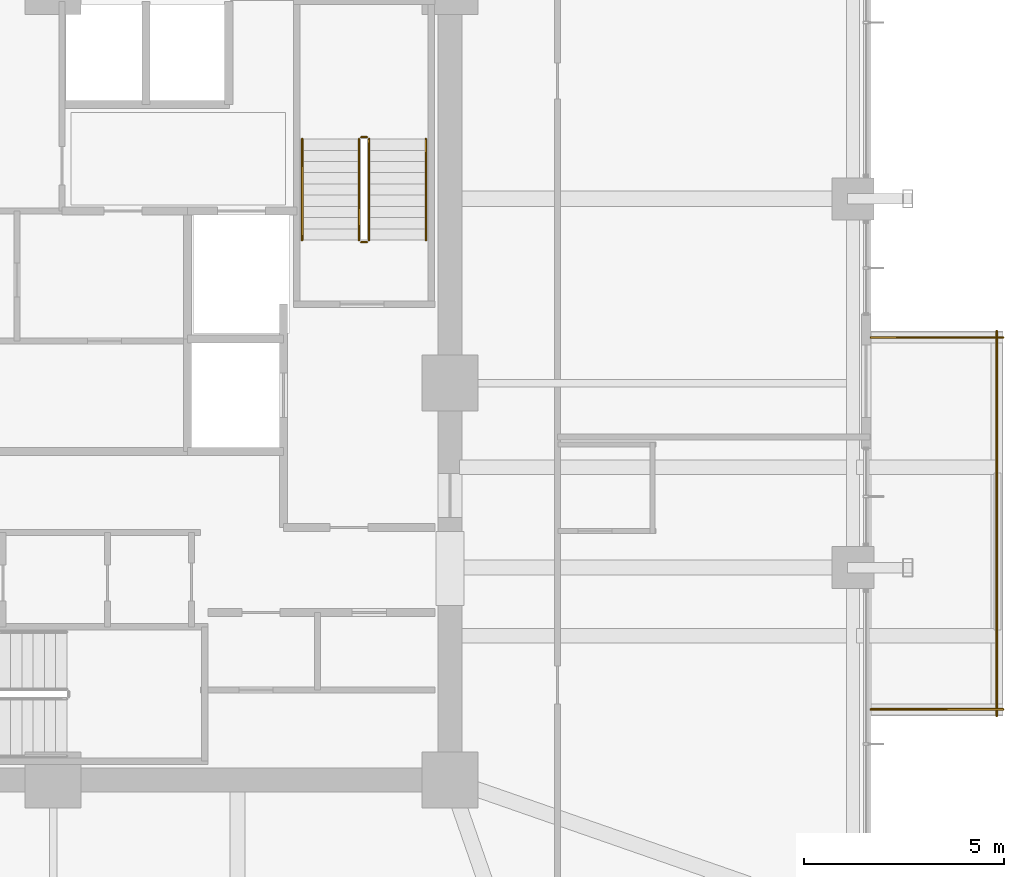
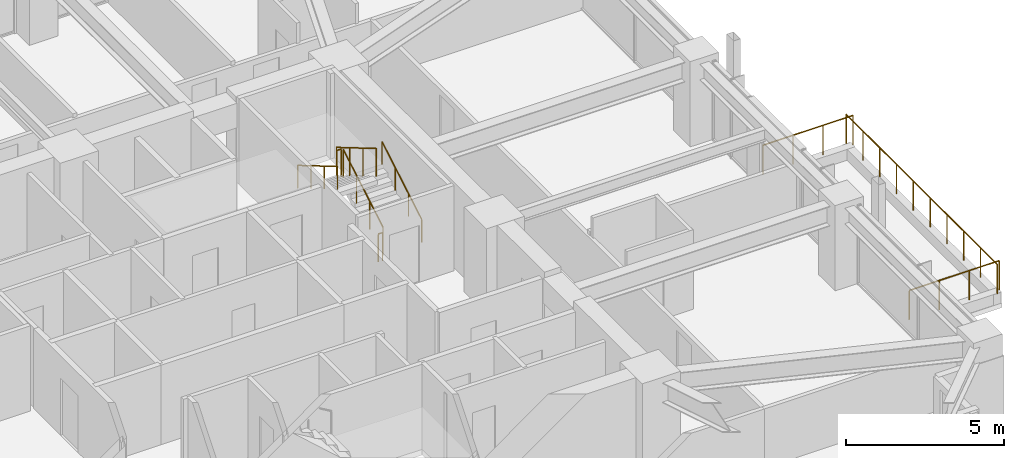
# One storey, part 37 of 37: 9 railings.
"""IFC4 building model written with IfcOpenShell, lengths in metres."""

from ifc_helpers import new_model, si_unit, direction, frame, origin, origin_2d, place, context, subcontext, project, spatial, circle, extrude, material, type_object, element, save


model = new_model("IFC4")

# Units and contexts
model_context = context("Model", 3, precision=1e-05, world=origin(), true_north=direction((0.0, 1.0)))
body_context = subcontext(model_context, "Body", "Model", "MODEL_VIEW")
ifc_project = project(units=[si_unit("LENGTHUNIT", "METRE"), si_unit("AREAUNIT", "SQUARE_METRE"), si_unit("VOLUMEUNIT", "CUBIC_METRE"), si_unit("PLANEANGLEUNIT", "RADIAN"), si_unit("MASSUNIT", "GRAM", prefix="KILO")], contexts=[model_context])

# Site, building, storey
site_placement = place(None, origin())
site = spatial("IfcSite", under=ifc_project, at=site_placement, CompositionType="ELEMENT")
building_placement = place(site_placement, origin())
building = spatial("IfcBuilding", under=site, at=building_placement, Name="Kolvaren Belvedere", CompositionType="ELEMENT")
storey_placement = place(building_placement, frame((0.0, 0.0, 82.10009765625)))
storey = spatial("IfcBuildingStorey", under=building, at=storey_placement, Name="L23", CompositionType="ELEMENT", Elevation=82.10009765625)

# Railings
ifc_material_1 = material(Name="Anodised pale-metal aluminium & laminated glass guard", Category="aluminium")
railing_type_1 = type_object("IfcRailingType", Name="RL-GUARD-1150", PredefinedType="GUARDRAIL", material=ifc_material_1)
railing_1_placement = place(storey_placement, frame((20.39990234375, -8.139892578125, 0.3798828125)))
element("IfcRailing", 1, at=railing_1_placement, inside=storey, type_object=railing_type_1, Name="L23 Exterior Deck Safety Guard SPIRAL-03-E-1", PredefinedType="GUARDRAIL", context=body_context, shape_type="SweptSolid", body=[
    extrude(circle(Radius=0.02392578125, at=origin_2d()), frame((0.0, 0.0, 1.1259765625), z_axis=(1.0, 0.0, 0.0), x_axis=(0.0, 1.0, 0.0)), (0.0, 0.0, 1.0), 3.300048828125),
    extrude(circle(Radius=0.02099609375, at=origin_2d()), origin(), (0.0, 0.0, 1.0), 1.101806640625),
    extrude(circle(Radius=0.02099609375, at=origin_2d()), frame((1.10009765625, 0.0, 0.0)), (0.0, 0.0, 1.0), 1.101806640625),
    extrude(circle(Radius=0.02099609375, at=origin_2d()), frame((2.199951171875, 0.0, 0.0)), (0.0, 0.0, 1.0), 1.101806640625),
    extrude(circle(Radius=0.02099609375, at=origin_2d()), frame((3.300048828125, 0.0, 0.0)), (0.0, 0.0, 1.0), 1.101806640625),
])
railing_2_placement = place(storey_placement, frame((23.5400390625, -8.300048828125, 0.3798828125)))
element("IfcRailing", 2, at=railing_2_placement, inside=storey, type_object=railing_type_1, Name="L23 Exterior Deck Safety Guard SPIRAL-03-E-2", PredefinedType="GUARDRAIL", context=body_context, shape_type="SweptSolid", body=[
    extrude(circle(Radius=0.02392578125, at=origin_2d()), frame((0.0, 0.0, 1.1259765625), z_axis=(0.0, 1.0, 0.0), x_axis=(-1.0, 0.0, 0.0)), (0.0, 0.0, 1.0), 9.60009765625),
    extrude(circle(Radius=0.02099609375, at=origin_2d()), origin(), (0.0, 0.0, 1.0), 1.101806640625),
    extrude(circle(Radius=0.02099609375, at=origin_2d()), frame((0.0, 1.066650390625, 0.0)), (0.0, 0.0, 1.0), 1.101806640625),
    extrude(circle(Radius=0.02099609375, at=origin_2d()), frame((0.0, 2.13330078125, 0.0)), (0.0, 0.0, 1.0), 1.101806640625),
    extrude(circle(Radius=0.02099609375, at=origin_2d()), frame((0.0, 3.199951171875, 0.0)), (0.0, 0.0, 1.0), 1.101806640625),
    extrude(circle(Radius=0.02099609375, at=origin_2d()), frame((0.0, 4.2666015625, 0.0)), (0.0, 0.0, 1.0), 1.101806640625),
    extrude(circle(Radius=0.02099609375, at=origin_2d()), frame((0.0, 5.33349609375, 0.0)), (0.0, 0.0, 1.0), 1.101806640625),
    extrude(circle(Radius=0.02099609375, at=origin_2d()), frame((0.0, 6.400146484375, 0.0)), (0.0, 0.0, 1.0), 1.101806640625),
    extrude(circle(Radius=0.02099609375, at=origin_2d()), frame((0.0, 7.466796875, 0.0)), (0.0, 0.0, 1.0), 1.101806640625),
    extrude(circle(Radius=0.02099609375, at=origin_2d()), frame((0.0, 8.533447265625, 0.0)), (0.0, 0.0, 1.0), 1.101806640625),
    extrude(circle(Radius=0.02099609375, at=origin_2d()), frame((0.0, 9.60009765625, 0.0)), (0.0, 0.0, 1.0), 1.101806640625),
])
railing_3_placement = place(storey_placement, frame((23.699951171875, 1.139892578125, 0.3798828125)))
element("IfcRailing", 3, at=railing_3_placement, inside=storey, type_object=railing_type_1, Name="L23 Exterior Deck Safety Guard SPIRAL-03-E-3", PredefinedType="GUARDRAIL", context=body_context, shape_type="SweptSolid", body=[
    extrude(circle(Radius=0.02392578125, at=origin_2d()), frame((0.0, 0.0, 1.1259765625), z_axis=(-1.0, 0.0, 0.0), x_axis=(0.0, -1.0, 0.0)), (0.0, 0.0, 1.0), 3.300048828125),
    extrude(circle(Radius=0.02099609375, at=origin_2d()), origin(), (0.0, 0.0, 1.0), 1.101806640625),
    extrude(circle(Radius=0.02099609375, at=origin_2d()), frame((-1.10009765625, 0.0, 0.0)), (0.0, 0.0, 1.0), 1.101806640625),
    extrude(circle(Radius=0.02099609375, at=origin_2d()), frame((-2.199951171875, 0.0, 0.0)), (0.0, 0.0, 1.0), 1.101806640625),
    extrude(circle(Radius=0.02099609375, at=origin_2d()), frame((-3.300048828125, 0.0, 0.0)), (0.0, 0.0, 1.0), 1.101806640625),
])
ifc_material_2 = material(Name="Brushed stainless-steel handrail", Category="steel")
railing_type_2 = type_object("IfcRailingType", Name="RL-HANDRAIL-920", PredefinedType="HANDRAIL", material=ifc_material_2)
railing_4_placement = place(storey_placement, frame((9.300048828125, 3.570068359375, 0.164794921875)))
element("IfcRailing", 4, at=railing_4_placement, inside=storey, type_object=railing_type_2, Name="L23 ST-2 stair handrail 1", PredefinedType="HANDRAIL", context=body_context, shape_type="SweptSolid", body=[
    extrude(circle(Radius=0.02392578125, at=origin_2d()), frame((0.0, 0.0, 0.8759765625), z_axis=(0.0, 0.86152411907, 0.507716645641), x_axis=(-1.0, 0.0, 0.0)), (0.0, 0.0, 1.0), 2.925048828125),
    extrude(circle(Radius=0.02099609375, at=origin_2d()), origin(), (0.0, 0.0, 1.0), 0.851806640625),
    extrude(circle(Radius=0.02099609375, at=origin_2d()), frame((0.0, 0.840087890625, 0.4951171875)), (0.0, 0.0, 1.0), 0.851806640625),
    extrude(circle(Radius=0.02099609375, at=origin_2d()), frame((0.0, 1.679931640625, 0.989990234375)), (0.0, 0.0, 1.0), 0.851806640625),
    extrude(circle(Radius=0.02099609375, at=origin_2d()), frame((0.0, 2.52001953125, 1.485107421875)), (0.0, 0.0, 1.0), 0.851806640625),
])
railing_5_placement = place(storey_placement, frame((6.2099609375, 6.090087890625, 1.81494140625)))
element("IfcRailing", 5, at=railing_5_placement, inside=storey, type_object=railing_type_2, Name="L23 ST-2 stair handrail 2", PredefinedType="HANDRAIL", context=body_context, shape_type="SweptSolid", body=[
    extrude(circle(Radius=0.02392578125, at=origin_2d()), frame((0.0, 0.0, 0.8759765625), z_axis=(0.0, -0.861560626758, 0.507654692109), x_axis=(1.0, 0.0, 0.0)), (0.0, 0.0, 1.0), 2.925048828125),
    extrude(circle(Radius=0.02099609375, at=origin_2d()), origin(), (0.0, 0.0, 1.0), 0.851806640625),
    extrude(circle(Radius=0.02099609375, at=origin_2d()), frame((0.0, -0.840087890625, 0.494873046875)), (0.0, 0.0, 1.0), 0.851806640625),
    extrude(circle(Radius=0.02099609375, at=origin_2d()), frame((0.0, -1.679931640625, 0.989990234375)), (0.0, 0.0, 1.0), 0.851806640625),
    extrude(circle(Radius=0.02099609375, at=origin_2d()), frame((0.0, -2.52001953125, 1.48486328125)), (0.0, 0.0, 1.0), 0.851806640625),
])
ifc_material_3 = material(Name="Painted tubular steel stair guard", Category="steel")
railing_type_3 = type_object("IfcRailingType", Name="RL-STGUARD-1100", PredefinedType="GUARDRAIL", material=ifc_material_3)
railing_6_placement = place(storey_placement, frame((7.8798828125, 3.570068359375, 0.164794921875)))
element("IfcRailing", 6, at=railing_6_placement, inside=storey, type_object=railing_type_3, Name="L23 ST-2 stair guard 1", PredefinedType="GUARDRAIL", context=body_context, shape_type="SweptSolid", body=[
    extrude(circle(Radius=0.02392578125, at=origin_2d()), frame((0.0, 0.0, 1.076171875), z_axis=(0.0, 0.86152411907, 0.507716645641), x_axis=(-1.0, 0.0, 0.0)), (0.0, 0.0, 1.0), 2.925048828125),
    extrude(circle(Radius=0.02099609375, at=origin_2d()), origin(), (0.0, 0.0, 1.0), 1.052001953125),
    extrude(circle(Radius=0.02099609375, at=origin_2d()), frame((0.0, 0.840087890625, 0.4951171875)), (0.0, 0.0, 1.0), 1.052001953125),
    extrude(circle(Radius=0.02099609375, at=origin_2d()), frame((0.0, 1.679931640625, 0.989990234375)), (0.0, 0.0, 1.0), 1.052001953125),
    extrude(circle(Radius=0.02099609375, at=origin_2d()), frame((0.0, 2.52001953125, 1.485107421875)), (0.0, 0.0, 1.0), 1.052001953125),
])
railing_7_placement = place(storey_placement, frame((7.830078125, 6.139892578125, 1.64990234375)))
element("IfcRailing", 7, at=railing_7_placement, inside=storey, type_object=railing_type_3, Name="L23 ST-2 stair guard 2", PredefinedType="GUARDRAIL", context=body_context, shape_type="SweptSolid", body=[
    extrude(circle(Radius=0.02392578125, at=origin_2d()), frame((0.0, 0.0, 1.076171875), z_axis=(-1.0, 0.0, 0.0), x_axis=(0.0, -1.0, 0.0)), (0.0, 0.0, 1.0), 0.150146484375),
    extrude(circle(Radius=0.02099609375, at=origin_2d()), origin(), (0.0, 0.0, 1.0), 1.052001953125),
    extrude(circle(Radius=0.02099609375, at=origin_2d()), frame((-0.150146484375, 0.0, 0.0)), (0.0, 0.0, 1.0), 1.052001953125),
])
railing_8_placement = place(storey_placement, frame((7.6298828125, 6.090087890625, 1.81494140625)))
element("IfcRailing", 8, at=railing_8_placement, inside=storey, type_object=railing_type_3, Name="L23 ST-2 stair guard 3", PredefinedType="GUARDRAIL", context=body_context, shape_type="SweptSolid", body=[
    extrude(circle(Radius=0.02392578125, at=origin_2d()), frame((0.0, 0.0, 1.076171875), z_axis=(0.0, -0.861560626758, 0.507654692109), x_axis=(1.0, 0.0, 0.0)), (0.0, 0.0, 1.0), 2.925048828125),
    extrude(circle(Radius=0.02099609375, at=origin_2d()), origin(), (0.0, 0.0, 1.0), 1.052001953125),
    extrude(circle(Radius=0.02099609375, at=origin_2d()), frame((0.0, -0.840087890625, 0.494873046875)), (0.0, 0.0, 1.0), 1.052001953125),
    extrude(circle(Radius=0.02099609375, at=origin_2d()), frame((0.0, -1.679931640625, 0.989990234375)), (0.0, 0.0, 1.0), 1.052001953125),
    extrude(circle(Radius=0.02099609375, at=origin_2d()), frame((0.0, -2.52001953125, 1.48486328125)), (0.0, 0.0, 1.0), 1.052001953125),
])
railing_9_placement = place(storey_placement, frame((7.830078125, 3.52001953125, 0.0)))
element("IfcRailing", 9, at=railing_9_placement, inside=storey, type_object=railing_type_3, Name="L23 ST-2 stair guard 4", PredefinedType="GUARDRAIL", context=body_context, shape_type="SweptSolid", body=[
    extrude(circle(Radius=0.02392578125, at=origin_2d()), frame((0.0, 0.0, 1.076171875), z_axis=(-1.0, 0.0, 0.0), x_axis=(0.0, -1.0, 0.0)), (0.0, 0.0, 1.0), 0.150146484375),
    extrude(circle(Radius=0.02099609375, at=origin_2d()), origin(), (0.0, 0.0, 1.0), 1.052001953125),
    extrude(circle(Radius=0.02099609375, at=origin_2d()), frame((-0.150146484375, 0.0, 0.0)), (0.0, 0.0, 1.0), 1.052001953125),
])

save(model, "model.ifc")
